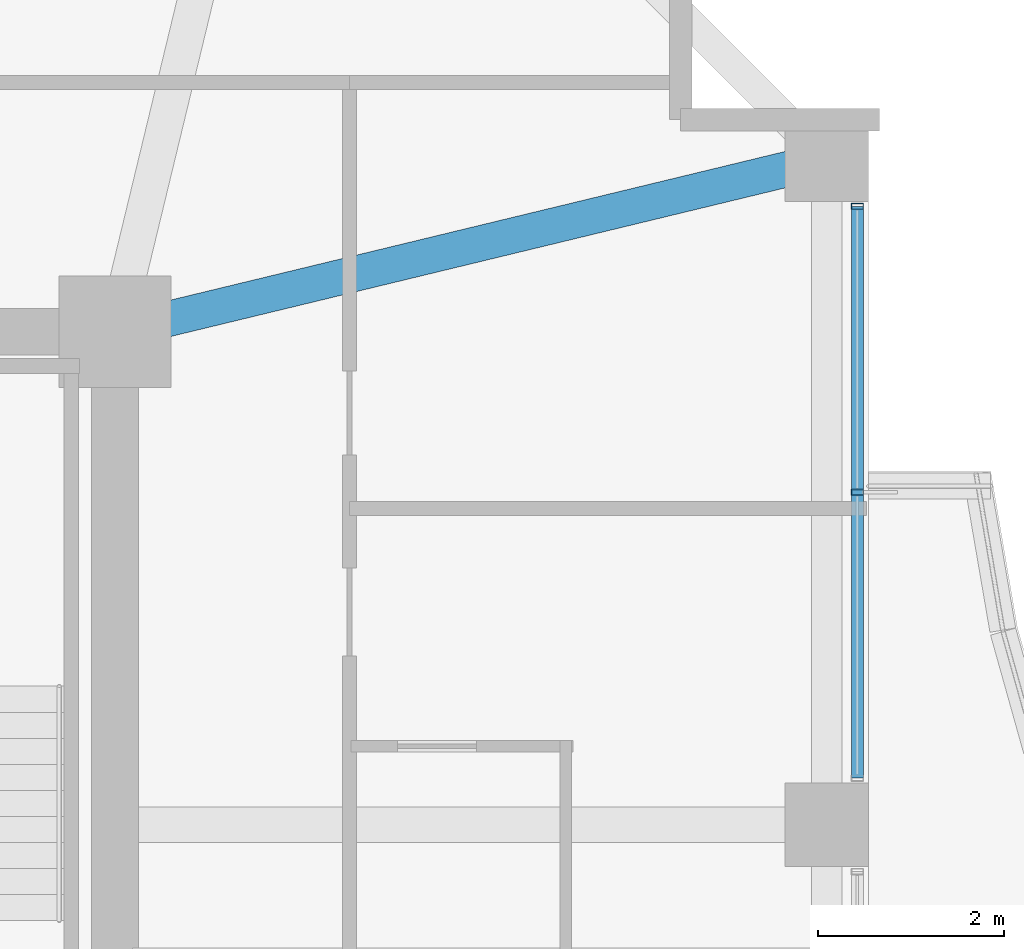
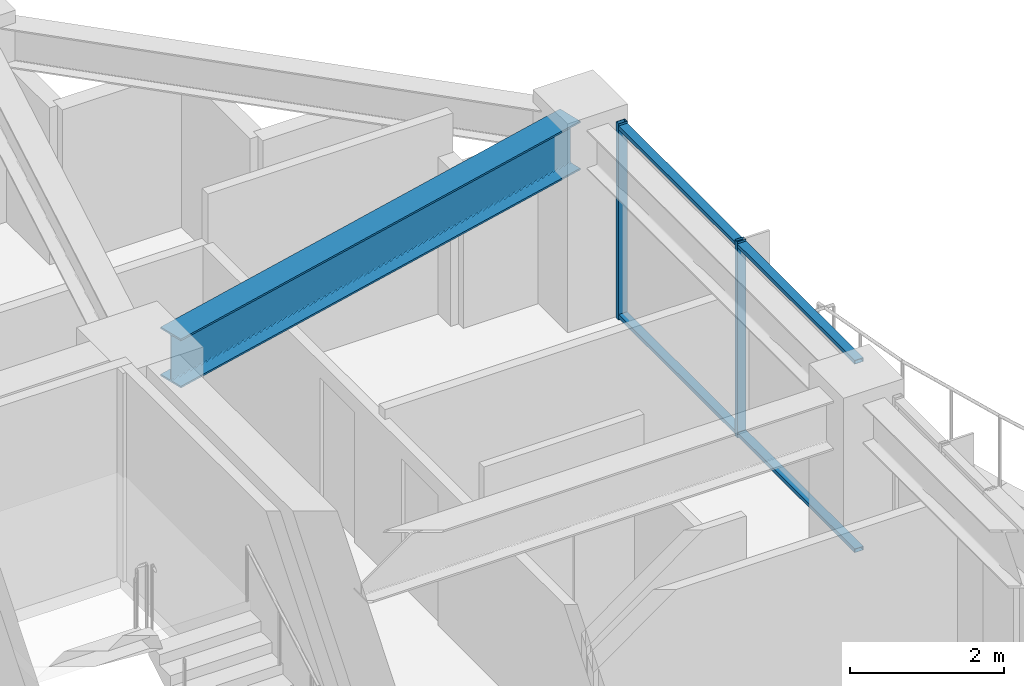
# One storey, part 17 of 33: 4 members, 1 beam, 1 element without a shape of its own.
"""IFC4 building model written with IfcOpenShell, lengths in metres."""

from ifc_helpers import new_model, si_unit, direction, frame, origin, origin_2d, place, context, subcontext, project, spatial, hollow_rectangle, i_section, extrude, material, material_profile, profile_set, type_object, element, aggregate, save


model = new_model("IFC4")

# Units and contexts
model_context = context("Model", 3, precision=1e-05, world=origin(), true_north=direction((0.0, 1.0)))
body_context = subcontext(model_context, "Body", "Model", "MODEL_VIEW")
ifc_project = project(units=[si_unit("LENGTHUNIT", "METRE"), si_unit("AREAUNIT", "SQUARE_METRE"), si_unit("VOLUMEUNIT", "CUBIC_METRE"), si_unit("PLANEANGLEUNIT", "RADIAN"), si_unit("MASSUNIT", "GRAM", prefix="KILO")], contexts=[model_context])

# Site, building, storey
site_placement = place(None, origin())
site = spatial("IfcSite", under=ifc_project, at=site_placement, CompositionType="ELEMENT")
building_placement = place(site_placement, origin())
building = spatial("IfcBuilding", under=site, at=building_placement, Name="Kolvaren Belvedere", CompositionType="ELEMENT")
storey_placement = place(building_placement, frame((0.0, 0.0, 128.300048828125)))
storey = spatial("IfcBuildingStorey", under=building, at=storey_placement, Name="L37", CompositionType="ELEMENT", Elevation=128.300048828125)

# Beam
ifc_material_1 = material(Name="Structural steel ASTM A992 Grade 50", Category="steel")
ifc_material_profile_1 = material_profile(ifc_material_1, i_section(OverallWidth=0.381103515625, OverallDepth=0.77294921875, WebThickness=0.0166015625, FlangeThickness=0.027099609375, FilletRadius=0.02392578125, at=origin_2d()), Name="W30X173")
ifc_profile_set_1 = profile_set([ifc_material_profile_1], Name="Structural steel ASTM A992 Grade 50")
beam_type = type_object("IfcBeamType", Name="BM-GIRD-W30X173", PredefinedType="BEAM", material=ifc_profile_set_1)
beam_placement = place(storey_placement, frame((10.4345703125, 10.029296875, 2.71337890625), z_axis=(0.971980197119, 0.235062749937, 0.0), x_axis=(-0.235062749937, 0.971980197119, 0.0)))
element("IfcBeam", 1, at=beam_placement, inside=storey, type_object=beam_type, Name="L37 Corner Core-to-Perimeter Girder CC3-E4", PredefinedType="BEAM", context=body_context, shape_type="SweptSolid", body=[
    extrude(i_section(OverallWidth=0.381103515625, OverallDepth=0.77294921875, WebThickness=0.0166015625, FlangeThickness=0.027099609375, FilletRadius=0.02392578125, at=origin_2d()), origin(), (0.0, 0.0, 1.0), 7.140625),
])

# Curtain wall, members
ifc_material_2 = material(Name="Anodised pale-metal aluminium AA 6063-T6", Category="aluminium")
curtain_wall_type = type_object("IfcCurtainWallType", Name="CW-Z3-WAIST", PredefinedType="NOTDEFINED", material=ifc_material_2)
curtain_wall_placement = place(storey_placement, origin())
curtain_wall = element("IfcCurtainWall", 2, at=curtain_wall_placement, inside=storey, type_object=curtain_wall_type, Name="L37 Unitised Curtain Wall FCW-L37-E1-B1", PredefinedType="NOTDEFINED")
ifc_material_3 = material(Name="Anodised pale-metal aluminium AA 6063-T6", Category="aluminium")
ifc_material_profile_2 = material_profile(ifc_material_3, hollow_rectangle(XDim=0.06494140625, YDim=0.1298828125, WallThickness=0.00390625, at=origin_2d()), Name="ALU-MUL-130X65")
ifc_profile_set_2 = profile_set([ifc_material_profile_2], Name="Anodised pale-metal aluminium AA 6063-T6")
member_type_1 = type_object("IfcMemberType", Name="CW-MUL-130", PredefinedType="MULLION", material=ifc_profile_set_2)
member_1_placement = place(storey_placement, frame((17.8798828125, 11.24755859375, 0.0), z_axis=(0.0, 0.0, 1.0), x_axis=(0.0, 1.0, 0.0)))
member_1 = element("IfcMember", 3, at=member_1_placement, type_object=member_type_1, Name="FCW-L37-E1-B1 Unitised Mullion 1", PredefinedType="MULLION", context=body_context, shape_type="SweptSolid", body=[
    extrude(hollow_rectangle(XDim=0.06494140625, YDim=0.1298828125, WallThickness=0.00390625, at=origin_2d()), origin(), (0.0, 0.0, 1.0), 3.099853515625),
])
member_2_placement = place(storey_placement, frame((17.8798828125, 8.175048828125, 0.0), z_axis=(0.0, 0.0, 1.0), x_axis=(0.0, 1.0, 0.0)))
member_2 = element("IfcMember", 4, at=member_2_placement, type_object=member_type_1, Name="FCW-L37-E1-B1 Unitised Mullion 2", PredefinedType="MULLION", context=body_context, shape_type="SweptSolid", body=[
    extrude(hollow_rectangle(XDim=0.06494140625, YDim=0.1298828125, WallThickness=0.00390625, at=origin_2d()), origin(), (0.0, 0.0, 1.0), 3.099853515625),
])
ifc_material_4 = material(Name="Anodised pale-metal aluminium AA 6063-T6", Category="aluminium")
ifc_material_profile_3 = material_profile(ifc_material_4, hollow_rectangle(XDim=0.06005859375, YDim=0.1298828125, WallThickness=0.00390625, at=origin_2d()), Name="ALU-TRN-130X60")
ifc_profile_set_3 = profile_set([ifc_material_profile_3], Name="Anodised pale-metal aluminium AA 6063-T6")
member_type_2 = type_object("IfcMemberType", Name="CW-TRN-130", PredefinedType="USERDEFINED", material=ifc_profile_set_3)
member_3_placement = place(storey_placement, frame((17.8798828125, 11.24755859375, 0.06005859375), z_axis=(0.0, -1.0, 0.0), x_axis=(0.0, 0.0, 1.0)))
member_3 = element("IfcMember", 5, at=member_3_placement, type_object=member_type_2, Name="FCW-L37-E1-B1 Sill Transom", ObjectType="TRANSOM", PredefinedType="USERDEFINED", context=body_context, shape_type="SweptSolid", body=[
    extrude(hollow_rectangle(XDim=0.06005859375, YDim=0.1298828125, WallThickness=0.00390625, at=origin_2d()), origin(), (0.0, 0.0, 1.0), 6.14501953125),
])
member_4_placement = place(storey_placement, frame((17.8798828125, 11.24755859375, 3.0400390625), z_axis=(0.0, -1.0, 0.0), x_axis=(0.0, 0.0, 1.0)))
member_4 = element("IfcMember", 6, at=member_4_placement, type_object=member_type_2, Name="FCW-L37-E1-B1 Head Transom", ObjectType="TRANSOM", PredefinedType="USERDEFINED", context=body_context, shape_type="SweptSolid", body=[
    extrude(hollow_rectangle(XDim=0.06005859375, YDim=0.1298828125, WallThickness=0.00390625, at=origin_2d()), origin(), (0.0, 0.0, 1.0), 6.14501953125),
])
aggregate(curtain_wall, [member_1, member_2, member_3, member_4])

save(model, "model.ifc")
